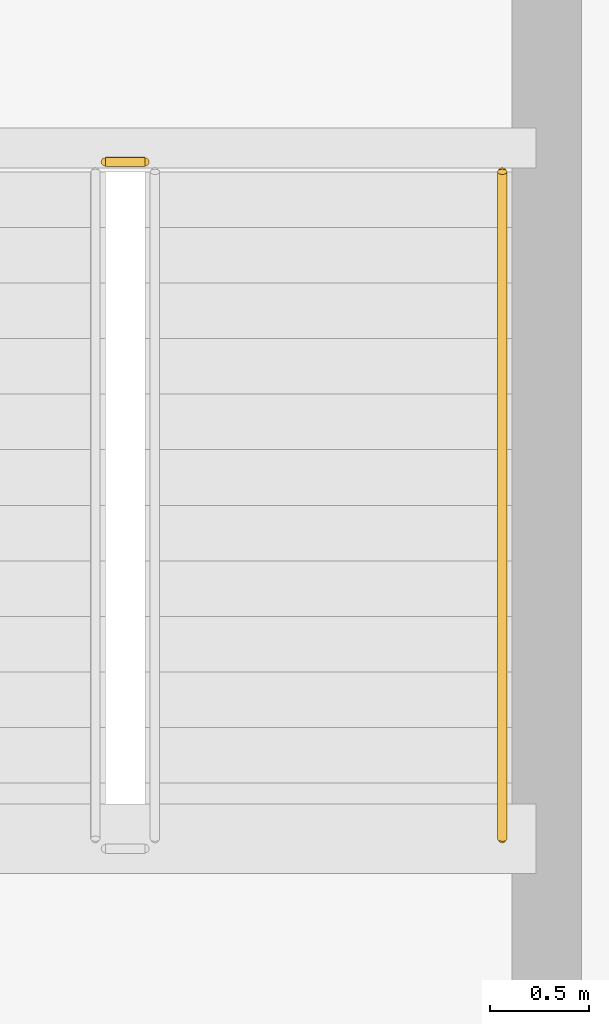
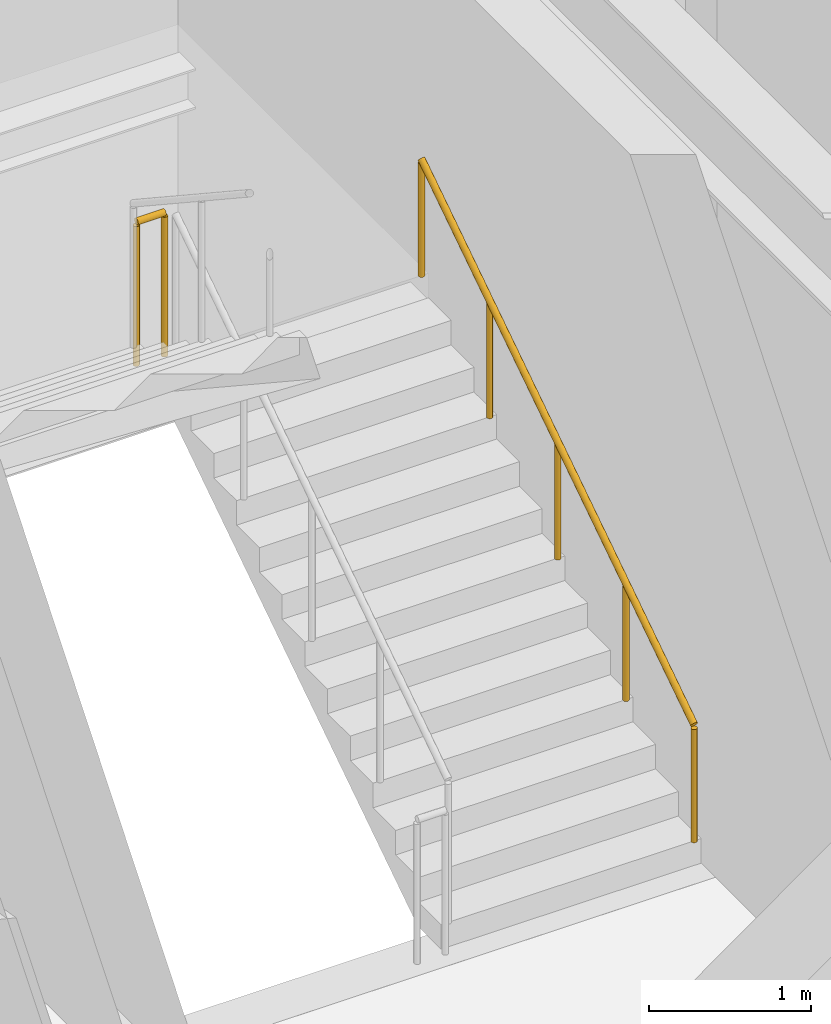
# One storey, part 74 of 80: 2 railings.
"""IFC4 building model written with IfcOpenShell, lengths in metres."""

from ifc_helpers import new_model, si_unit, direction, frame, origin, origin_2d, place, context, subcontext, project, spatial, circle, extrude, material, type_object, element, save


model = new_model("IFC4")

# Units and contexts
model_context = context("Model", 3, precision=1e-05, world=origin(), true_north=direction((0.0, 1.0)))
body_context = subcontext(model_context, "Body", "Model", "MODEL_VIEW")
ifc_project = project(units=[si_unit("LENGTHUNIT", "METRE"), si_unit("AREAUNIT", "SQUARE_METRE"), si_unit("VOLUMEUNIT", "CUBIC_METRE"), si_unit("PLANEANGLEUNIT", "RADIAN"), si_unit("MASSUNIT", "GRAM", prefix="KILO")], contexts=[model_context])

# Site, building, storey
site_placement = place(None, origin())
site = spatial("IfcSite", under=ifc_project, at=site_placement, CompositionType="ELEMENT")
building_placement = place(site_placement, origin())
building = spatial("IfcBuilding", under=site, at=building_placement, Name="Vaelkrest Opera House", CompositionType="ELEMENT")
storey_placement = place(building_placement, frame((0.0, 0.0, 15.0)))
storey = spatial("IfcBuildingStorey", under=building, at=storey_placement, Name="L03", CompositionType="ELEMENT", Elevation=15.0)

# Railings
ifc_material = material(Name="Dark bronze anodized aluminium", Category="aluminium")
railing_type_1 = type_object("IfcRailingType", Name="GR02", PredefinedType="GUARDRAIL", material=ifc_material)
railing_1_placement = place(storey_placement, frame((21.050048828125, -22.239990234375, 2.39990234375)))
element("IfcRailing", 1, at=railing_1_placement, inside=storey, type_object=railing_type_1, Name="L03 ST02 stair guard 2", PredefinedType="GUARDRAIL", context=body_context, shape_type="SweptSolid", body=[
    extrude(circle(Radius=0.02392578125, at=origin_2d()), frame((0.0, 0.0, 1.076171875), z_axis=(-1.0, 0.0, 0.0), x_axis=(0.0, -1.0, 0.0)), (0.0, 0.0, 1.0), 0.199951171875),
    extrude(circle(Radius=0.02099609375, at=origin_2d()), origin(), (0.0, 0.0, 1.0), 1.052001953125),
    extrude(circle(Radius=0.02099609375, at=origin_2d()), frame((-0.199951171875, 0.0, 0.0)), (0.0, 0.0, 1.0), 1.052001953125),
])
railing_type_2 = type_object("IfcRailingType", Name="HR02", PredefinedType="HANDRAIL", material=ifc_material)
railing_2_placement = place(storey_placement, frame((22.85009765625, -25.64990234375, 0.1845703125)))
element("IfcRailing", 2, at=railing_2_placement, inside=storey, type_object=railing_type_2, Name="L03 ST02 stair handrail 1", PredefinedType="HANDRAIL", context=body_context, shape_type="SweptSolid", body=[
    extrude(circle(Radius=0.02392578125, at=origin_2d()), frame((0.0, 0.0, 0.8759765625), z_axis=(0.0, 0.834858096282, 0.550465220583), x_axis=(-1.0, 0.0, 0.0)), (0.0, 0.0, 1.0), 4.0244140625),
    extrude(circle(Radius=0.02099609375, at=origin_2d()), origin(), (0.0, 0.0, 1.0), 0.851806640625),
    extrude(circle(Radius=0.02099609375, at=origin_2d()), frame((0.0, 0.83984375, 0.5537109375)), (0.0, 0.0, 1.0), 0.851806640625),
    extrude(circle(Radius=0.02099609375, at=origin_2d()), frame((0.0, 1.679931640625, 1.107666015625)), (0.0, 0.0, 1.0), 0.851806640625),
    extrude(circle(Radius=0.02099609375, at=origin_2d()), frame((0.0, 2.52001953125, 1.66162109375)), (0.0, 0.0, 1.0), 0.851806640625),
    extrude(circle(Radius=0.02099609375, at=origin_2d()), frame((0.0, 3.35986328125, 2.21533203125)), (0.0, 0.0, 1.0), 0.851806640625),
])

save(model, "model.ifc")
